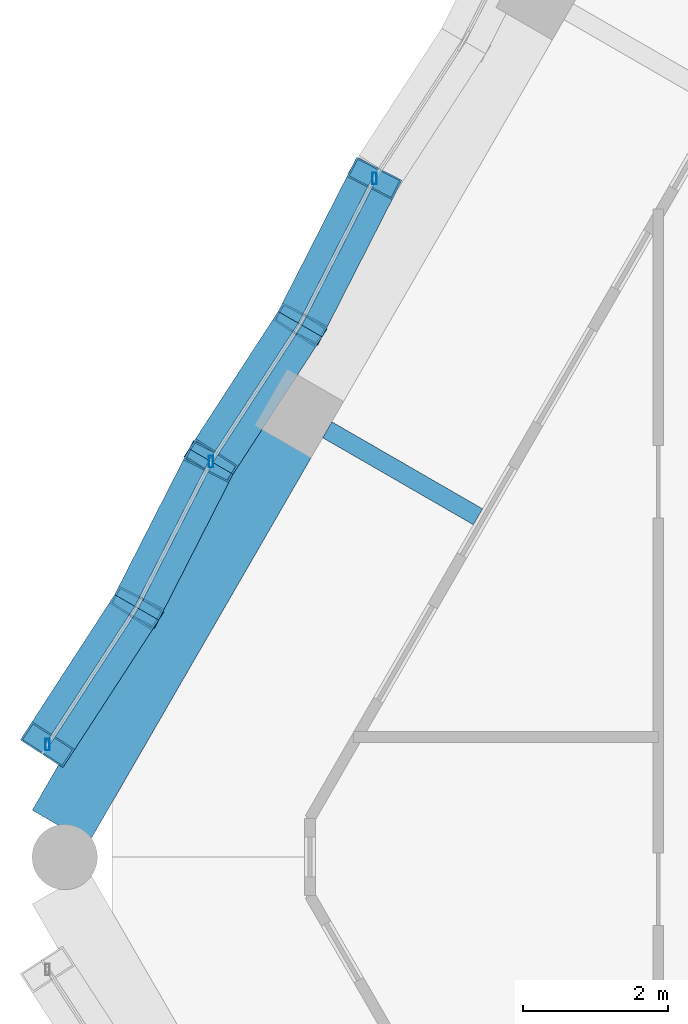
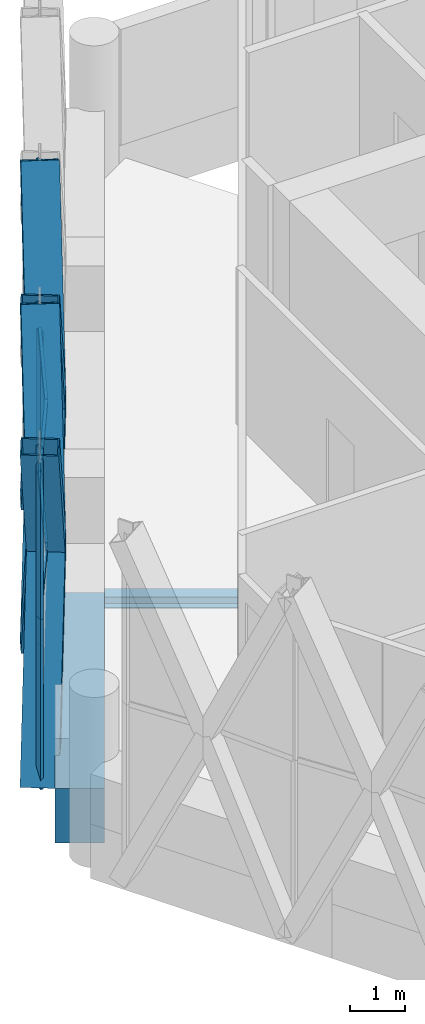
# One storey, part 7 of 27: 18 members, 2 beams, 2 elements without a shape of their own.
"""IFC4 building model written with IfcOpenShell, lengths in metres."""

from ifc_helpers import new_model, si_unit, direction, frame, origin, origin_2d, place, context, subcontext, project, spatial, rectangle, hollow_rectangle, i_section, extrude, material, material_profile, profile_set, type_object, element, aggregate, save


model = new_model("IFC4")

# Units and contexts
model_context = context("Model", 3, precision=1e-05, world=origin(), true_north=direction((0.0, 1.0)))
body_context = subcontext(model_context, "Body", "Model", "MODEL_VIEW")
ifc_project = project(units=[si_unit("LENGTHUNIT", "METRE"), si_unit("AREAUNIT", "SQUARE_METRE"), si_unit("VOLUMEUNIT", "CUBIC_METRE"), si_unit("PLANEANGLEUNIT", "RADIAN"), si_unit("MASSUNIT", "GRAM", prefix="KILO")], contexts=[model_context])

# Site, building, storey
site_placement = place(None, origin())
site = spatial("IfcSite", under=ifc_project, at=site_placement, CompositionType="ELEMENT")
building_placement = place(site_placement, origin())
building = spatial("IfcBuilding", under=site, at=building_placement, Name="Ostrander Bayou Hotel Tower", CompositionType="ELEMENT")
storey_placement = place(building_placement, frame((0.0, 0.0, 267.5)))
storey = spatial("IfcBuildingStorey", under=building, at=storey_placement, Name="L66", CompositionType="ELEMENT", Elevation=267.5)

# Curtain wall, members
ifc_material_1 = material(Name="Aluminium and clear glass", Category="aluminium")
curtain_wall_type = type_object("IfcCurtainWallType", Name="CW-LAT lattice glazing", PredefinedType="NOTDEFINED", material=ifc_material_1)
curtain_wall_1_placement = place(storey_placement, origin())
curtain_wall_1 = element("IfcCurtainWall", 1, at=curtain_wall_1_placement, inside=storey, type_object=curtain_wall_type, Name="CW-LAT L66 NW 1", PredefinedType="NOTDEFINED")
ifc_material_2 = material(Name="Aluminium", Category="aluminium")
ifc_material_profile_1 = material_profile(ifc_material_2, hollow_rectangle(XDim=0.06005859375, YDim=0.159912109375, WallThickness=0.00390625, at=origin_2d()))
ifc_profile_set_1 = profile_set([ifc_material_profile_1], Name="Aluminium")
member_type_1 = type_object("IfcMemberType", Name="CW-LA mullion 60 x 160 mm", PredefinedType="MULLION", material=ifc_profile_set_1)
member_1_placement = place(storey_placement, frame((-14.214599609375, 8.206787109375, -0.60009765625), z_axis=(0.0, 0.0, 1.0), x_axis=(1.0, 0.0, 0.0)))
member_1 = element("IfcMember", 2, at=member_1_placement, type_object=member_type_1, Name="CW-LAT mullion 8", PredefinedType="MULLION", context=body_context, shape_type="SweptSolid", body=[
    extrude(hollow_rectangle(XDim=0.06005859375, YDim=0.159912109375, WallThickness=0.00390625, at=origin_2d()), origin(), (0.0, 0.0, 1.0), 3.75),
])
member_2_placement = place(storey_placement, frame((-14.214599609375, 8.206787109375, 3.14990234375), z_axis=(0.0, 0.0, 1.0), x_axis=(1.0, 0.0, 0.0)))
member_2 = element("IfcMember", 3, at=member_2_placement, type_object=member_type_1, Name="CW-LAT mullion 9", PredefinedType="MULLION", context=body_context, shape_type="SweptSolid", body=[
    extrude(hollow_rectangle(XDim=0.06005859375, YDim=0.159912109375, WallThickness=0.00390625, at=origin_2d()), origin(), (0.0, 0.0, 1.0), 3.75),
])
member_3_placement = place(storey_placement, frame((-16.469482421875, 4.30078125, -0.60009765625), z_axis=(0.0, 0.0, 1.0), x_axis=(1.0, 0.0, 0.0)))
member_3 = element("IfcMember", 4, at=member_3_placement, type_object=member_type_1, Name="CW-LAT mullion 12", PredefinedType="MULLION", context=body_context, shape_type="SweptSolid", body=[
    extrude(hollow_rectangle(XDim=0.06005859375, YDim=0.159912109375, WallThickness=0.00390625, at=origin_2d()), origin(), (0.0, 0.0, 1.0), 3.75),
])
member_4_placement = place(storey_placement, frame((-16.469482421875, 4.30078125, 3.14990234375), z_axis=(0.0, 0.0, 1.0), x_axis=(1.0, 0.0, 0.0)))
member_4 = element("IfcMember", 5, at=member_4_placement, type_object=member_type_1, Name="CW-LAT mullion 13", PredefinedType="MULLION", context=body_context, shape_type="SweptSolid", body=[
    extrude(hollow_rectangle(XDim=0.06005859375, YDim=0.159912109375, WallThickness=0.00390625, at=origin_2d()), origin(), (0.0, 0.0, 1.0), 3.75),
])
member_5_placement = place(storey_placement, frame((-18.724609375, 0.39501953125, -0.60009765625), z_axis=(0.0, 0.0, 1.0), x_axis=(1.0, 0.0, 0.0)))
member_5 = element("IfcMember", 6, at=member_5_placement, type_object=member_type_1, Name="CW-LAT mullion 16", PredefinedType="MULLION", context=body_context, shape_type="SweptSolid", body=[
    extrude(hollow_rectangle(XDim=0.06005859375, YDim=0.159912109375, WallThickness=0.00390625, at=origin_2d()), origin(), (0.0, 0.0, 1.0), 3.75),
])
member_6_placement = place(storey_placement, frame((-18.724609375, 0.39501953125, 3.14990234375), z_axis=(0.0, 0.0, 1.0), x_axis=(1.0, 0.0, 0.0)))
member_6 = element("IfcMember", 7, at=member_6_placement, type_object=member_type_1, Name="CW-LAT mullion 17", PredefinedType="MULLION", context=body_context, shape_type="SweptSolid", body=[
    extrude(hollow_rectangle(XDim=0.06005859375, YDim=0.159912109375, WallThickness=0.00390625, at=origin_2d()), origin(), (0.0, 0.0, 1.0), 3.75),
])
aggregate(curtain_wall_1, [member_1, member_2, member_3, member_4, member_5, member_6])

curtain_wall_2_placement = place(storey_placement, origin())
curtain_wall_2 = element("IfcCurtainWall", 8, at=curtain_wall_2_placement, inside=storey, type_object=curtain_wall_type, Name="CW-LAT L66 NW 2", PredefinedType="NOTDEFINED")
ifc_material_3 = material(Name="Aluminium", Category="aluminium")
ifc_material_profile_2 = material_profile(ifc_material_3, hollow_rectangle(XDim=0.06005859375, YDim=0.1201171875, WallThickness=0.00390625, at=origin_2d()))
ifc_profile_set_2 = profile_set([ifc_material_profile_2], Name="Aluminium")
member_type_2 = type_object("IfcMemberType", Name="CW-LA transom 60 x 120 mm", PredefinedType="USERDEFINED", material=ifc_profile_set_2)
member_7_placement = place(storey_placement, frame((-14.214599609375, 8.206787109375, 3.14990234375), z_axis=(-0.453946834608, -0.891028771336, 0.0), x_axis=(0.891028771336, -0.453946834608, 0.0)))
member_7 = element("IfcMember", 9, at=member_7_placement, type_object=member_type_2, Name="CW-LAT transom 11", ObjectType="TRANSOM", PredefinedType="USERDEFINED", context=body_context, shape_type="SweptSolid", body=[
    extrude(hollow_rectangle(XDim=0.06005859375, YDim=0.1201171875, WallThickness=0.00390625, at=origin_2d()), origin(), (0.0, 0.0, 1.0), 2.25830078125),
])
member_8_placement = place(storey_placement, frame((-16.469482421875, 4.30078125, 3.14990234375), z_axis=(0.544604455155, 0.838693023355, 0.0), x_axis=(-0.838693023355, 0.544604455155, 0.0)))
member_8 = element("IfcMember", 10, at=member_8_placement, type_object=member_type_2, Name="CW-LAT transom 14", ObjectType="TRANSOM", PredefinedType="USERDEFINED", context=body_context, shape_type="SweptSolid", body=[
    extrude(hollow_rectangle(XDim=0.06005859375, YDim=0.1201171875, WallThickness=0.00390625, at=origin_2d()), origin(), (0.0, 0.0, 1.0), 2.258056640625),
])
member_9_placement = place(storey_placement, frame((-16.469482421875, 4.30078125, 3.14990234375), z_axis=(-0.454076394233, -0.890962753542, 0.0), x_axis=(0.890962753542, -0.454076394233, 0.0)))
member_9 = element("IfcMember", 11, at=member_9_placement, type_object=member_type_2, Name="CW-LAT transom 15", ObjectType="TRANSOM", PredefinedType="USERDEFINED", context=body_context, shape_type="SweptSolid", body=[
    extrude(hollow_rectangle(XDim=0.06005859375, YDim=0.1201171875, WallThickness=0.00390625, at=origin_2d()), origin(), (0.0, 0.0, 1.0), 2.25830078125),
])
member_10_placement = place(storey_placement, frame((-18.724609375, 0.39501953125, 3.14990234375), z_axis=(0.544604455155, 0.838693023355, 0.0), x_axis=(-0.838693023355, 0.544604455155, 0.0)))
member_10 = element("IfcMember", 12, at=member_10_placement, type_object=member_type_2, Name="CW-LAT transom 18", ObjectType="TRANSOM", PredefinedType="USERDEFINED", context=body_context, shape_type="SweptSolid", body=[
    extrude(hollow_rectangle(XDim=0.06005859375, YDim=0.1201171875, WallThickness=0.00390625, at=origin_2d()), origin(), (0.0, 0.0, 1.0), 2.258056640625),
])
aggregate(curtain_wall_2, [member_7, member_8, member_9, member_10])

# Beam
ifc_material_4 = material(Name="Steel ASTM A992", Category="steel")
ifc_material_profile_3 = material_profile(ifc_material_4, i_section(OverallWidth=0.25390625, OverallDepth=0.25341796875, WebThickness=0.008544921875, FlangeThickness=0.01416015625, at=origin_2d()))
ifc_profile_set_3 = profile_set([ifc_material_profile_3], Name="Steel ASTM A992")
beam_type_1 = type_object("IfcBeamType", Name="LB2 loggia bracket W10x49", PredefinedType="BEAM", material=ifc_profile_set_3)
beam_1_placement = place(storey_placement, frame((-14.865966796875, 4.73828125, -0.4267578125), z_axis=(0.866024647952, -0.500001309137, 0.0), x_axis=(0.500001309137, 0.866024647952, 0.0)))
element("IfcBeam", 13, at=beam_1_placement, inside=storey, type_object=beam_type_1, Name="LB2 L66 NW2", PredefinedType="BEAM", context=body_context, shape_type="SweptSolid", body=[
    extrude(i_section(OverallWidth=0.25390625, OverallDepth=0.25341796875, WebThickness=0.008544921875, FlangeThickness=0.01416015625, at=origin_2d()), origin(), (0.0, 0.0, 1.0), 2.39990234375),
])

# Members
ifc_material_5 = material(Name="Steel ASTM A572 Gr 50", Category="steel")
ifc_material_profile_4 = material_profile(ifc_material_5, hollow_rectangle(XDim=0.699951171875, YDim=0.35009765625, WallThickness=0.02490234375, at=origin_2d()))
ifc_profile_set_4 = profile_set([ifc_material_profile_4], Name="Steel ASTM A572 Gr 50")
member_type_3 = type_object("IfcMemberType", Name="LT1 lattice member box 700 x 350 x 25 mm", PredefinedType="BRACE", material=ifc_profile_set_4)
for number, where, z_axis, x_axis, name in (
    (14, (-15.23974609375, 6.194580078125, 3.14990234375), (0.234186010481, 0.459671611903, -0.856655661106), (-0.891028771336, 0.453946834608, 0.0), "LT1 L66 NW 9"),
    (15, (-15.23974609375, 6.194580078125, 3.14990234375), (0.234186010481, 0.459671611903, 0.856655661106), (-0.891028771336, 0.453946834608, 0.0), "LT1 L66 NW 10"),
    (16, (-15.23974609375, 6.194580078125, 3.14990234375), (-0.280931451205, -0.432635550328, -0.856681971514), (0.838693023355, -0.544604455155, 0.0), "LT1 L66 NW 11"),
    (17, (-15.23974609375, 6.194580078125, 3.14990234375), (-0.280931451205, -0.432635550328, 0.856681971514), (0.838693023355, -0.544604455155, 0.0), "LT1 L66 NW 12"),
    (18, (-17.494873046875, 2.288818359375, 3.14990234375), (0.234244727427, 0.459621618744, -0.856666431732), (-0.890962753542, 0.454076394233, 0.0), "LT1 L66 NW 13"),
    (19, (-17.494873046875, 2.288818359375, 3.14990234375), (0.234244727427, 0.459621618744, 0.856666431732), (-0.890962753542, 0.454076394233, 0.0), "LT1 L66 NW 14"),
    (20, (-17.494873046875, 2.288818359375, 3.14990234375), (-0.280931451205, -0.432635550328, -0.856681971514), (0.838693023355, -0.544604455155, 0.0), "LT1 L66 NW 15"),
    (21, (-17.494873046875, 2.288818359375, 3.14990234375), (-0.280931451205, -0.432635550328, 0.856681971514), (0.838693023355, -0.544604455155, 0.0), "LT1 L66 NW 16"),
):
    element("IfcMember", number, at=place(storey_placement, frame(where, z_axis=z_axis, x_axis=x_axis)), inside=storey, type_object=member_type_3, Name=name, PredefinedType="BRACE", context=body_context, shape_type="SweptSolid", body=[
        extrude(hollow_rectangle(XDim=0.699951171875, YDim=0.35009765625, WallThickness=0.02490234375, at=origin_2d()), origin(), (0.0, 0.0, 1.0), 4.37744140625),
    ])

# Beam
ifc_material_6 = material(Name="Concrete f'c 60 MPa", Category="concrete")
ifc_material_profile_5 = material_profile(ifc_material_6, rectangle(XDim=0.89990234375, YDim=1.199951171875, at=origin_2d()))
ifc_profile_set_5 = profile_set([ifc_material_profile_5], Name="Concrete f'c 60 MPa")
beam_type_2 = type_object("IfcBeamType", Name="SP4 spandrel beam 900 x 1200 mm f'c 60 MPa", PredefinedType="SPANDREL", material=ifc_profile_set_5)
beam_2_placement = place(storey_placement, frame((-15.4658203125, 4.599609375, -0.60009765625), z_axis=(-0.499984362083, -0.866034432152, 0.0), x_axis=(0.866034432152, -0.499984362083, 0.0)))
element("IfcBeam", 22, at=beam_2_placement, inside=storey, type_object=beam_type_2, Name="SP4 L66 NW-3", PredefinedType="SPANDREL", context=body_context, shape_type="SweptSolid", body=[
    extrude(rectangle(XDim=0.89990234375, YDim=1.199951171875, at=origin_2d()), origin(), (0.0, 0.0, 1.0), 6.159423828125),
])

save(model, "model.ifc")
